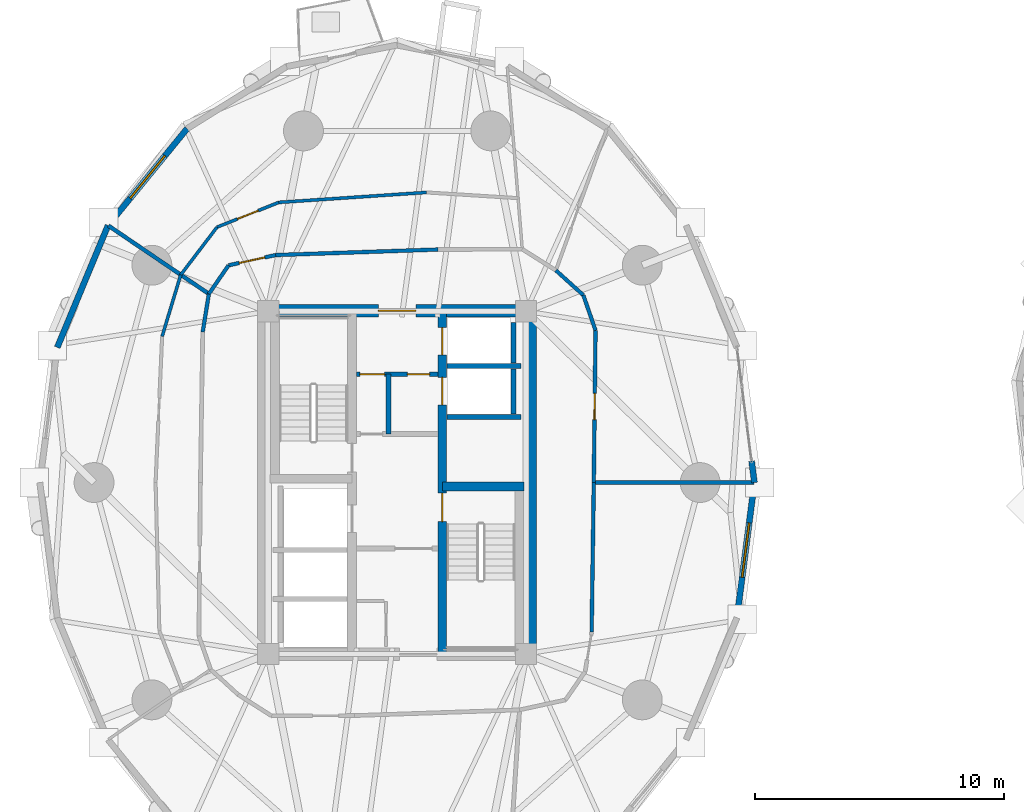
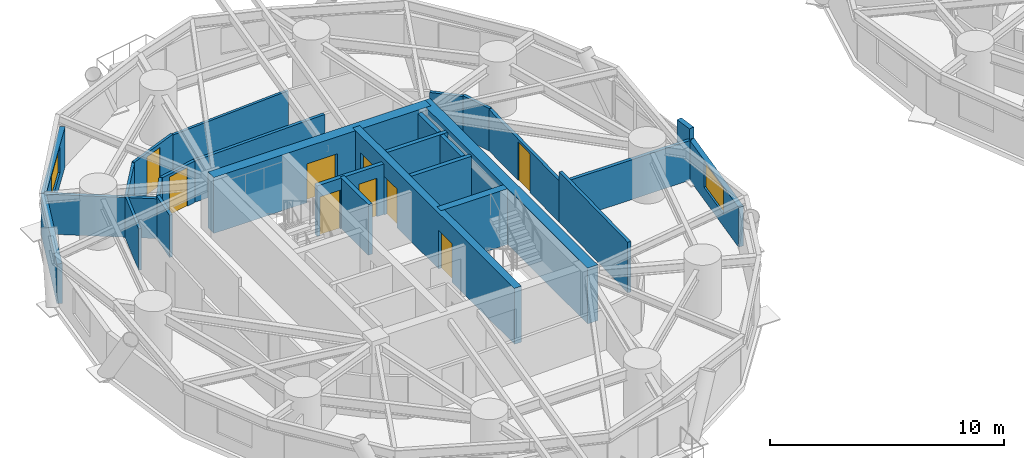
# One storey, part 11 of 18: 28 walls, 9 doors, 2 windows, 11 openings.
"""IFC4 building model written with IfcOpenShell, lengths in metres."""

from ifc_helpers import new_model, si_unit, direction, frame, frame_2d, origin, place, context, subcontext, project, spatial, rectangle, extrude, source, transform, mapped, material, layer, layer_set, type_object, element, fill, save


model = new_model("IFC4")

# Units and contexts
model_context = context("Model", 3, precision=1e-05, world=origin(), true_north=direction((0.0, 1.0)))
body_context = subcontext(model_context, "Body", "Model", "MODEL_VIEW")
ifc_project = project(units=[si_unit("LENGTHUNIT", "METRE"), si_unit("AREAUNIT", "SQUARE_METRE"), si_unit("VOLUMEUNIT", "CUBIC_METRE"), si_unit("PLANEANGLEUNIT", "RADIAN"), si_unit("MASSUNIT", "GRAM", prefix="KILO")], contexts=[model_context])

# Site, building, storey
site_placement = place(None, origin())
site = spatial("IfcSite", under=ifc_project, at=site_placement, CompositionType="ELEMENT")
building_placement = place(site_placement, origin())
building = spatial("IfcBuilding", under=site, at=building_placement, Name="Cununo Teusaquillo Station Towers", CompositionType="ELEMENT")
storey_placement = place(building_placement, frame((0.0, 0.0, 22.0)))
storey = spatial("IfcBuildingStorey", under=building, at=storey_placement, Name="L05", CompositionType="ELEMENT", Elevation=22.0)

# Walls
ifc_material_1 = material(Name="Concrete C50/60", Category="concrete")
ifc_layer_1 = layer(ifc_material_1, 0.199951171875)
ifc_layer_set_1 = layer_set([ifc_layer_1], Name="Concrete C50/60")
wall_type_1 = type_object("IfcWallType", Name="WL-CORE-200", PredefinedType="SHEAR", material=ifc_layer_set_1)
for number, where, z_axis, x_axis, name in (
    (1, (18.510009765625, 27.1298828125, 0.0), (0.0, 0.0, 1.0), (1.0, 0.0, 0.0), "L05 Tower A Low-Rise Lift Hoistway South Shear Wall"),
    (2, (18.510009765625, 29.175048828125, 0.0), (0.0, 0.0, 1.0), (1.0, 0.0, 0.0), "L05 Tower A Low-Rise Lift Hoistway Divider Shear Wall"),
):
    element("IfcWall", number, at=place(storey_placement, frame(where, z_axis=z_axis, x_axis=x_axis)), inside=storey, type_object=wall_type_1, Name=name, PredefinedType="SHEAR", context=body_context, shape_type="SweptSolid", body=[
        extrude(rectangle(XDim=2.969970703125, YDim=0.199951171875, at=frame_2d((1.48486328125, 0.0))), origin(), (0.0, 0.0, 1.0), 2.909912109375),
    ])
wall_1_placement = place(storey_placement, frame((21.179931640625, 27.25, 0.0), z_axis=(0.0, 0.0, 1.0), x_axis=(0.0, 1.0, 0.0)))
element("IfcWall", 3, at=wall_1_placement, inside=storey, type_object=wall_type_1, Name="L05 Tower A Low-Rise Lift 1 Shaft Rear Shear Wall", PredefinedType="SHEAR", context=body_context, shape_type="SweptSolid", body=[
    extrude(rectangle(XDim=1.804931640625, YDim=0.199951171875, at=frame_2d((0.90234375, 0.0))), origin(), (0.0, 0.0, 1.0), 2.909912109375),
])
wall_2_placement = place(storey_placement, frame((21.179931640625, 29.294921875, 0.0), z_axis=(0.0, 0.0, 1.0), x_axis=(0.0, 1.0, 0.0)))
element("IfcWall", 4, at=wall_2_placement, inside=storey, type_object=wall_type_1, Name="L05 Tower A Low-Rise Lift 2 Shaft Rear Shear Wall", PredefinedType="SHEAR", context=body_context, shape_type="SweptSolid", body=[
    extrude(rectangle(XDim=1.635009765625, YDim=0.199951171875, at=frame_2d((0.8173828125, 0.0))), origin(), (0.0, 0.0, 1.0), 2.909912109375),
])

# Wall, openings, doors
ifc_material_2 = material(Name="Concrete C50/60", Category="concrete")
ifc_layer_2 = layer(ifc_material_2, 0.35009765625)
ifc_layer_set_2 = layer_set([ifc_layer_2], Name="Concrete C50/60")
wall_type_2 = type_object("IfcWallType", Name="WL-CORE-350", PredefinedType="SHEAR", material=ifc_layer_set_2)
wall_3_placement = place(storey_placement, frame((18.31494140625, 17.60009765625, 0.0), z_axis=(0.0, 0.0, 1.0), x_axis=(0.0, 1.0, 0.0)))
wall_3 = element("IfcWall", 5, at=wall_3_placement, inside=storey, type_object=wall_type_2, Name="L05 Tower A Core Shear Wall IE", PredefinedType="SHEAR", context=body_context, shape_type="SweptSolid", body=[
    extrude(rectangle(XDim=13.7998046875, YDim=0.35009765625, at=frame_2d((6.89990234375, 0.0))), origin(), (0.0, 0.0, 1.0), 2.909912109375),
])
shared_shape_1 = source(origin(), body_context, "Body", "SweptSolid", [
    extrude(rectangle(XDim=1.10009765625, YDim=2.014892578125, at=frame_2d((0.550048828125, 1.00732421875))), frame((0.0, 0.18505859375, 0.0), z_axis=(0.0, -1.0, 0.0), x_axis=(1.0, 0.0, 0.0)), (0.0, 0.0, 1.0), 0.3701171875),
])
opening_1_placement = place(wall_3_placement, frame((10.02490234375, 0.0, 0.0)))
opening_1 = element("IfcOpeningElement", 6, at=opening_1_placement, cuts=wall_3, Name="Opening LD-01", PredefinedType="OPENING", context=body_context, shape_type="MappedRepresentation", body=[
    mapped(shared_shape_1, transform((0.0, 0.0, 0.0), x_axis=(1.0, 0.0, 0.0), y_axis=(0.0, 1.0, 0.0), z_axis=(0.0, 0.0, 1.0), scale=1.0)),
])
opening_2_placement = place(wall_3_placement, frame((12.02490234375, 0.0, 0.0)))
opening_2 = element("IfcOpeningElement", 7, at=opening_2_placement, cuts=wall_3, Name="Opening LD-01", PredefinedType="OPENING", context=body_context, shape_type="MappedRepresentation", body=[
    mapped(shared_shape_1, transform((0.0, 0.0, 0.0), x_axis=(1.0, 0.0, 0.0), y_axis=(0.0, 1.0, 0.0), z_axis=(0.0, 0.0, 1.0), scale=1.0)),
])
shared_shape_2 = source(origin(), body_context, "Body", "SweptSolid", [
    extrude(rectangle(XDim=1.14990234375, YDim=2.02001953125, at=frame_2d((0.574951171875, 1.010009765625))), frame((0.0, 0.18505859375, 0.0), z_axis=(0.0, -1.0, 0.0), x_axis=(1.0, 0.0, 0.0)), (0.0, 0.0, 1.0), 0.3701171875),
])
opening_3_placement = place(wall_3_placement, frame((5.330078125, 0.0, 0.0)))
opening_3 = element("IfcOpeningElement", 8, at=opening_3_placement, cuts=wall_3, Name="Opening D-ST1", PredefinedType="OPENING", context=body_context, shape_type="MappedRepresentation", body=[
    mapped(shared_shape_2, transform((0.0, 0.0, 0.0), x_axis=(1.0, 0.0, 0.0), y_axis=(0.0, 1.0, 0.0), z_axis=(0.0, 0.0, 1.0), scale=1.0)),
])
ifc_material_3 = material(Name="Galvanised fire-rated hollow steel door assembly", Category="steel")
door_type_1 = type_object("IfcDoorType", Name="DR-LIFT-1100", OperationType="SLIDING_TO_LEFT", PredefinedType="DOOR", material=ifc_material_3)
shared_shape_3 = source(origin(), body_context, "Body", "SweptSolid", [
    extrude(rectangle(XDim=1.10009765625, YDim=2.014892578125, at=frame_2d((0.550048828125, 1.00732421875))), frame((0.0, 0.02490234375, 0.0), z_axis=(0.0, -1.0, 0.0), x_axis=(1.0, 0.0, 0.0)), (0.0, 0.0, 1.0), 0.050048828125),
])
door_1_placement = place(opening_1_placement, origin())
door_1 = element("IfcDoor", 9, at=door_1_placement, inside=storey, type_object=door_type_1, Name="L05 Lift PL-T1-L1 Sliding Landing Door", OperationType="SLIDING_TO_LEFT", OverallHeight=2.014892578125, OverallWidth=1.10009765625, PredefinedType="DOOR", context=body_context, shape_type="MappedRepresentation", body=[
    mapped(shared_shape_3, transform((0.0, 0.0, 0.0), x_axis=(1.0, 0.0, 0.0), y_axis=(0.0, 1.0, 0.0), z_axis=(0.0, 0.0, 1.0), scale=1.0)),
])
fill(opening_1, door_1)
door_2_placement = place(opening_2_placement, origin())
door_2 = element("IfcDoor", 10, at=door_2_placement, inside=storey, type_object=door_type_1, Name="L05 Lift PL-T1-L2 Sliding Landing Door", OperationType="SLIDING_TO_RIGHT", OverallHeight=2.014892578125, OverallWidth=1.10009765625, PredefinedType="DOOR", context=body_context, shape_type="MappedRepresentation", body=[
    mapped(shared_shape_3, transform((0.0, 0.0, 0.0), x_axis=(1.0, 0.0, 0.0), y_axis=(0.0, 1.0, 0.0), z_axis=(0.0, 0.0, 1.0), scale=1.0)),
])
fill(opening_2, door_2)
ifc_material_4 = material(Name="Galvanised fire-rated hollow steel door assembly", Category="steel")
door_type_2 = type_object("IfcDoorType", Name="DR-STAIR-1150", OperationType="NOTDEFINED", PredefinedType="DOOR", material=ifc_material_4)
shared_shape_4 = source(origin(), body_context, "Body", "SweptSolid", [
    extrude(rectangle(XDim=1.14990234375, YDim=2.02001953125, at=frame_2d((0.574951171875, 1.010009765625))), frame((0.0, 0.02490234375, 0.0), z_axis=(0.0, -1.0, 0.0), x_axis=(1.0, 0.0, 0.0)), (0.0, 0.0, 1.0), 0.050048828125),
])
door_3_placement = place(opening_3_placement, origin())
door_3 = element("IfcDoor", 11, at=door_3_placement, inside=storey, type_object=door_type_2, Name="L05 Tower A Exit Stair 2 Fire Door", OperationType="SINGLE_SWING_LEFT", OverallHeight=2.02001953125, OverallWidth=1.14990234375, PredefinedType="DOOR", context=body_context, shape_type="MappedRepresentation", body=[
    mapped(shared_shape_4, transform((0.0, 0.0, 0.0), x_axis=(1.0, 0.0, 0.0), y_axis=(0.0, 1.0, 0.0), z_axis=(0.0, 0.0, 1.0), scale=1.0)),
])
fill(opening_3, door_3)

# Walls
wall_4_placement = place(storey_placement, frame((18.31494140625, 24.344970703125, 0.0), z_axis=(0.0, 0.0, 1.0), x_axis=(1.0, 0.0, 0.0)))
element("IfcWall", 12, at=wall_4_placement, inside=storey, type_object=wall_type_2, Name="L05 Tower A Core Shear Wall ST2N", PredefinedType="SHEAR", context=body_context, shape_type="SweptSolid", body=[
    extrude(rectangle(XDim=3.28515625, YDim=0.35009765625, at=frame_2d((1.642578125, 0.0))), origin(), (0.0, 0.0, 1.0), 2.909912109375),
])
ifc_material_5 = material(Name="Concrete C60/75", Category="concrete")
ifc_layer_3 = layer(ifc_material_5, 0.5)
ifc_layer_set_3 = layer_set([ifc_layer_3], Name="Concrete C60/75")
wall_type_3 = type_object("IfcWallType", Name="WL-CORE-500", PredefinedType="SHEAR", material=ifc_layer_set_3)
wall_5_placement = place(storey_placement, frame((21.85009765625, 17.35009765625, 0.0), z_axis=(0.0, 0.0, 1.0), x_axis=(0.0, 1.0, 0.0)))
element("IfcWall", 13, at=wall_5_placement, inside=storey, type_object=wall_type_3, Name="L05 Tower A Core Shear Wall E", PredefinedType="SHEAR", context=body_context, shape_type="SweptSolid", body=[
    extrude(rectangle(XDim=14.2998046875, YDim=0.5, at=frame_2d((7.14990234375, 0.0))), origin(), (0.0, 0.0, 1.0), 2.909912109375),
])

# Wall, opening, door
wall_6_placement = place(storey_placement, frame((11.14990234375, 31.39990234375, 0.0), z_axis=(0.0, 0.0, 1.0), x_axis=(1.0, 0.0, 0.0)))
wall_6 = element("IfcWall", 14, at=wall_6_placement, inside=storey, type_object=wall_type_3, Name="L05 Tower A Core Shear Wall N", PredefinedType="SHEAR", context=body_context, shape_type="SweptSolid", body=[
    extrude(rectangle(XDim=10.7001953125, YDim=0.5, at=frame_2d((5.35009765625, 0.0))), origin(), (0.0, 0.0, 1.0), 2.909912109375),
])
shared_shape_5 = source(origin(), body_context, "Body", "SweptSolid", [
    extrude(rectangle(XDim=1.5, YDim=2.02001953125, at=frame_2d((0.75, 1.010009765625))), frame((0.0, 0.260009765625, 0.0), z_axis=(0.0, -1.0, 0.0), x_axis=(1.0, 0.0, 0.0)), (0.0, 0.0, 1.0), 0.52001953125),
])
opening_4_placement = place(wall_6_placement, frame((4.60009765625, 0.0, 0.0)))
opening_4 = element("IfcOpeningElement", 15, at=opening_4_placement, cuts=wall_6, Name="Opening D-LB1", PredefinedType="OPENING", context=body_context, shape_type="MappedRepresentation", body=[
    mapped(shared_shape_5, transform((0.0, 0.0, 0.0), x_axis=(1.0, 0.0, 0.0), y_axis=(0.0, 1.0, 0.0), z_axis=(0.0, 0.0, 1.0), scale=1.0)),
])
ifc_material_6 = material(Name="Galvanised fire-rated hollow steel door assembly", Category="steel")
door_type_3 = type_object("IfcDoorType", Name="DR-LOBBY-1500", OperationType="DOUBLE_DOOR_SINGLE_SWING", PredefinedType="DOOR", material=ifc_material_6)
shared_shape_6 = source(origin(), body_context, "Body", "SweptSolid", [
    extrude(rectangle(XDim=1.5, YDim=2.02001953125, at=frame_2d((0.75, 1.010009765625))), frame((0.0, 0.02490234375, 0.0), z_axis=(0.0, -1.0, 0.0), x_axis=(1.0, 0.0, 0.0)), (0.0, 0.0, 1.0), 0.050048828125),
])
door_4_placement = place(opening_4_placement, origin())
door_4 = element("IfcDoor", 16, at=door_4_placement, inside=storey, type_object=door_type_3, Name="L05 Tower A North Core Lift Lobby Door", OperationType="DOUBLE_DOOR_SINGLE_SWING", OverallHeight=2.02001953125, OverallWidth=1.5, PredefinedType="DOOR", context=body_context, shape_type="MappedRepresentation", body=[
    mapped(shared_shape_6, transform((0.0, 0.0, 0.0), x_axis=(1.0, 0.0, 0.0), y_axis=(0.0, 1.0, 0.0), z_axis=(0.0, 0.0, 1.0), scale=1.0)),
])
fill(opening_4, door_4)

# Wall
ifc_material_7 = material(Name="Precast concrete C40/50", Category="concrete")
ifc_layer_4 = layer(ifc_material_7, 0.239990234375)
ifc_layer_set_4 = layer_set([ifc_layer_4], Name="Precast concrete C40/50")
wall_type_4 = type_object("IfcWallType", Name="WL-EXT-240", PredefinedType="SOLIDWALL", material=ifc_layer_set_4)
wall_7_placement = place(storey_placement, frame((30.7392578125, 25.36279296875, 0.0), z_axis=(0.0, 0.0, 1.0), x_axis=(0.128523364007, -0.991706481225, 0.0)))
element("IfcWall", 17, at=wall_7_placement, inside=storey, type_object=wall_type_4, Name="L05 Tower A Column Pier Cladding Wall C00-PB", PredefinedType="SOLIDWALL", context=body_context, shape_type="SweptSolid", body=[
    extrude(rectangle(XDim=0.8701171875, YDim=0.239990234375, at=frame_2d((0.43505859375, 0.0))), origin(), (0.0, 0.0, 1.0), 2.635009765625),
])

# Wall, opening, window
wall_8_placement = place(storey_placement, frame((4.889892578125, 34.827392578125, 0.0), z_axis=(0.0, 0.0, 1.0), x_axis=(0.632588557044, 0.774488035735, 0.0)))
wall_8 = element("IfcWall", 18, at=wall_8_placement, inside=storey, type_object=wall_type_4, Name="L05 Tower A Exterior Facade Wall C07", PredefinedType="SOLIDWALL", context=body_context, shape_type="SweptSolid", body=[
    extrude(rectangle(XDim=5.018798828125, YDim=0.239990234375, at=frame_2d((2.50927734375, 0.0))), origin(), (0.0, 0.0, 1.0), 2.072998046875),
])
shared_shape_7 = source(origin(), body_context, "Body", "SweptSolid", [
    extrude(rectangle(XDim=2.199951171875, YDim=1.35009765625, at=frame_2d((1.10009765625, 0.675048828125))), frame((0.0, 0.1298828125, 0.0), z_axis=(0.0, -1.0, 0.0), x_axis=(1.0, 0.0, 0.0)), (0.0, 0.0, 1.0), 0.260009765625),
])
opening_5_placement = place(wall_8_placement, frame((1.408935546875, 0.0, 0.64990234375)))
opening_5 = element("IfcOpeningElement", 19, at=opening_5_placement, cuts=wall_8, Name="Opening WN-01", PredefinedType="OPENING", context=body_context, shape_type="MappedRepresentation", body=[
    mapped(shared_shape_7, transform((0.0, 0.0, 0.0), x_axis=(1.0, 0.0, 0.0), y_axis=(0.0, 1.0, 0.0), z_axis=(0.0, 0.0, 1.0), scale=1.0)),
])
ifc_material_8 = material(Name="Ceramic-fritted dark low-E double glazing", Category="glass")
window_type = type_object("IfcWindowType", Name="WIN-FRIT-2200", PartitioningType="DOUBLE_PANEL_VERTICAL", PredefinedType="WINDOW", material=ifc_material_8)
shared_shape_8 = source(origin(), body_context, "Body", "SweptSolid", [
    extrude(rectangle(XDim=2.199951171875, YDim=1.35009765625, at=frame_2d((1.10009765625, 0.675048828125))), frame((0.0, 0.030029296875, 0.0), z_axis=(0.0, -1.0, 0.0), x_axis=(1.0, 0.0, 0.0)), (0.0, 0.0, 1.0), 0.06005859375),
])
window_1_placement = place(opening_5_placement, origin())
window_1 = element("IfcWindow", 20, at=window_1_placement, inside=storey, type_object=window_type, Name="L05 Tower A Facade Window C07", OverallHeight=1.35009765625, OverallWidth=2.199951171875, PartitioningType="DOUBLE_PANEL_VERTICAL", PredefinedType="WINDOW", context=body_context, shape_type="MappedRepresentation", body=[
    mapped(shared_shape_8, transform((0.0, 0.0, 0.0), x_axis=(1.0, 0.0, 0.0), y_axis=(0.0, 1.0, 0.0), z_axis=(0.0, 0.0, 1.0), scale=1.0)),
])
fill(opening_5, window_1)

# Wall
wall_9_placement = place(storey_placement, frame((2.851318359375, 29.929443359375, 0.0), z_axis=(0.0, 0.0, 1.0), x_axis=(0.384255919668, 0.923226618009, 0.0)))
element("IfcWall", 21, at=wall_9_placement, inside=storey, type_object=wall_type_4, Name="L05 Tower A Exterior Facade Wall C08", PredefinedType="SOLIDWALL", context=body_context, shape_type="SweptSolid", body=[
    extrude(rectangle(XDim=5.30517578125, YDim=0.239990234375, at=frame_2d((2.652587890625, 0.0))), origin(), (0.0, 0.0, 1.0), 2.072998046875),
])

# Wall, opening, window
wall_10_placement = place(storey_placement, frame((30.85107421875, 24.5, 0.0), z_axis=(0.0, 0.0, 1.0), x_axis=(-0.128298189174, -0.991735637483, 0.0)))
wall_10 = element("IfcWall", 22, at=wall_10_placement, inside=storey, type_object=wall_type_4, Name="L05 Tower A Exterior Facade Wall C19", PredefinedType="SOLIDWALL", context=body_context, shape_type="SweptSolid", body=[
    extrude(rectangle(XDim=5.474609375, YDim=0.239990234375, at=frame_2d((2.7373046875, 0.0))), origin(), (0.0, 0.0, 1.0), 2.072998046875),
])
opening_6_placement = place(wall_10_placement, frame((1.636962890625, 0.0, 0.64990234375)))
opening_6 = element("IfcOpeningElement", 23, at=opening_6_placement, cuts=wall_10, Name="Opening WN-01", PredefinedType="OPENING", context=body_context, shape_type="MappedRepresentation", body=[
    mapped(shared_shape_7, transform((0.0, 0.0, 0.0), x_axis=(1.0, 0.0, 0.0), y_axis=(0.0, 1.0, 0.0), z_axis=(0.0, 0.0, 1.0), scale=1.0)),
])
window_2_placement = place(opening_6_placement, origin())
window_2 = element("IfcWindow", 24, at=window_2_placement, inside=storey, type_object=window_type, Name="L05 Tower A Facade Window C19", OverallHeight=1.35009765625, OverallWidth=2.199951171875, PartitioningType="DOUBLE_PANEL_VERTICAL", PredefinedType="WINDOW", context=body_context, shape_type="MappedRepresentation", body=[
    mapped(shared_shape_8, transform((0.0, 0.0, 0.0), x_axis=(1.0, 0.0, 0.0), y_axis=(0.0, 1.0, 0.0), z_axis=(0.0, 0.0, 1.0), scale=1.0)),
])
fill(opening_6, window_2)

# Wall
ifc_material_9 = material(Name="Fire-rated gypsum plasterboard partition assembly", Category="gypsum")
ifc_layer_5 = layer(ifc_material_9, 0.125)
ifc_layer_set_5 = layer_set([ifc_layer_5], Name="Fire-rated gypsum plasterboard partition assembly")
wall_type_5 = type_object("IfcWallType", Name="WL-PART-125", PredefinedType="PARTITIONING", material=ifc_layer_set_5)
wall_11_placement = place(storey_placement, frame((17.682861328125, 36.15283203125, 0.0), z_axis=(0.0, 0.0, 1.0), x_axis=(-0.997730540088, -0.067333270944, 0.0)))
element("IfcWall", 25, at=wall_11_placement, inside=storey, type_object=wall_type_5, Name="L05 Tower A Simultaneous Interpretation Hall Concentric Partition Wall C05", PredefinedType="PARTITIONING", context=body_context, shape_type="SweptSolid", body=[
    extrude(rectangle(XDim=5.949951171875, YDim=0.125, at=frame_2d((2.97509765625, 0.0))), origin(), (0.0, 0.0, 1.0), 2.158935546875),
])

# Wall, opening, door
wall_12_placement = place(storey_placement, frame((11.746337890625, 35.752197265625, 0.0), z_axis=(0.0, 0.0, 1.0), x_axis=(-0.928091790064, -0.372351486119, 0.0)))
wall_12 = element("IfcWall", 26, at=wall_12_placement, inside=storey, type_object=wall_type_5, Name="L05 Tower A Simultaneous Interpretation Hall Concentric Partition Wall C06", PredefinedType="PARTITIONING", context=body_context, shape_type="SweptSolid", body=[
    extrude(rectangle(XDim=2.671875, YDim=0.125, at=frame_2d((1.3359375, 0.0))), origin(), (0.0, 0.0, 1.0), 2.205078125),
])
shared_shape_9 = source(origin(), body_context, "Body", "SweptSolid", [
    extrude(rectangle(XDim=0.89990234375, YDim=2.0048828125, at=frame_2d((0.449951171875, 1.00244140625))), frame((0.0, 0.072509765625, 0.0), z_axis=(0.0, -1.0, 0.0), x_axis=(1.0, 0.0, 0.0)), (0.0, 0.0, 1.0), 0.14501953125),
])
opening_7_placement = place(wall_12_placement, frame((0.885986328125, 0.0, 0.0)))
opening_7 = element("IfcOpeningElement", 27, at=opening_7_placement, cuts=wall_12, Name="Opening D-IN1", PredefinedType="OPENING", context=body_context, shape_type="MappedRepresentation", body=[
    mapped(shared_shape_9, transform((0.0, 0.0, 0.0), x_axis=(1.0, 0.0, 0.0), y_axis=(0.0, 1.0, 0.0), z_axis=(0.0, 0.0, 1.0), scale=1.0)),
])
ifc_material_10 = material(Name="Acoustic solid-core hardwood leaf assembly", Category="wood")
door_type_4 = type_object("IfcDoorType", Name="DR-INT-900", OperationType="NOTDEFINED", PredefinedType="DOOR", material=ifc_material_10)
shared_shape_10 = source(origin(), body_context, "Body", "SweptSolid", [
    extrude(rectangle(XDim=0.89990234375, YDim=2.0048828125, at=frame_2d((0.449951171875, 1.00244140625))), frame((0.0, 0.02490234375, 0.0), z_axis=(0.0, -1.0, 0.0), x_axis=(1.0, 0.0, 0.0)), (0.0, 0.0, 1.0), 0.050048828125),
])
door_5_placement = place(opening_7_placement, origin())
door_5 = element("IfcDoor", 28, at=door_5_placement, inside=storey, type_object=door_type_4, Name="L05 Tower A Simultaneous Interpretation Hall Connecting Door", OperationType="SINGLE_SWING_LEFT", OverallHeight=2.0048828125, OverallWidth=0.89990234375, PredefinedType="DOOR", context=body_context, shape_type="MappedRepresentation", body=[
    mapped(shared_shape_10, transform((0.0, 0.0, 0.0), x_axis=(1.0, 0.0, 0.0), y_axis=(0.0, 1.0, 0.0), z_axis=(0.0, 0.0, 1.0), scale=1.0)),
])
fill(opening_7, door_5)

# Walls
wall_13_placement = place(storey_placement, frame((9.2666015625, 34.75732421875, 0.0), z_axis=(0.0, 0.0, 1.0), x_axis=(-0.60573716219, -0.795664810295, 0.0)))
element("IfcWall", 29, at=wall_13_placement, inside=storey, type_object=wall_type_5, Name="L05 Tower A Simultaneous Interpretation Hall Concentric Partition Wall C07", PredefinedType="PARTITIONING", context=body_context, shape_type="SweptSolid", body=[
    extrude(rectangle(XDim=2.40380859375, YDim=0.125, at=frame_2d((1.201904296875, 0.0))), origin(), (0.0, 0.0, 1.0), 2.158935546875),
])
wall_14_placement = place(storey_placement, frame((7.810546875, 32.8447265625, 0.0), z_axis=(0.0, 0.0, 1.0), x_axis=(-0.289357304294, -0.957221160679, 0.0)))
element("IfcWall", 30, at=wall_14_placement, inside=storey, type_object=wall_type_5, Name="L05 Tower A Press & Broadcast Briefing Hall Concentric Partition Wall C08", PredefinedType="PARTITIONING", context=body_context, shape_type="SweptSolid", body=[
    extrude(rectangle(XDim=2.585205078125, YDim=0.125, at=frame_2d((1.29248046875, 0.0))), origin(), (0.0, 0.0, 1.0), 2.158935546875),
])

# Wall, opening, door
ifc_material_11 = material(Name="Fire-rated gypsum plasterboard partition assembly", Category="gypsum")
ifc_layer_6 = layer(ifc_material_11, 0.14990234375)
ifc_layer_set_6 = layer_set([ifc_layer_6], Name="Fire-rated gypsum plasterboard partition assembly")
wall_type_6 = type_object("IfcWallType", Name="WL-PART-150", PredefinedType="PARTITIONING", material=ifc_layer_set_6)
wall_15_placement = place(storey_placement, frame((24.39990234375, 24.5, 0.0), z_axis=(0.0, 0.0, 1.0), x_axis=(0.011299841544, 0.999936154752, 0.0)))
wall_15 = element("IfcWall", 31, at=wall_15_placement, inside=storey, type_object=wall_type_6, Name="L05 Tower A Corridor Ring Wall C00", PredefinedType="PARTITIONING", context=body_context, shape_type="SweptSolid", body=[
    extrude(rectangle(XDim=6.114501953125, YDim=0.14990234375, at=frame_2d((3.05712890625, 0.0))), origin(), (0.0, 0.0, 1.0), 2.158935546875),
])
shared_shape_11 = source(origin(), body_context, "Body", "SweptSolid", [
    extrude(rectangle(XDim=1.050048828125, YDim=2.014892578125, at=frame_2d((0.52490234375, 1.00732421875))), frame((0.0, 0.0849609375, 0.0), z_axis=(0.0, -1.0, 0.0), x_axis=(1.0, 0.0, 0.0)), (0.0, 0.0, 1.0), 0.169921875),
])
opening_8_placement = place(wall_15_placement, frame((2.5322265625, 0.0, 0.0)))
opening_8 = element("IfcOpeningElement", 32, at=opening_8_placement, cuts=wall_15, Name="Opening D-SU1", PredefinedType="OPENING", context=body_context, shape_type="MappedRepresentation", body=[
    mapped(shared_shape_11, transform((0.0, 0.0, 0.0), x_axis=(1.0, 0.0, 0.0), y_axis=(0.0, 1.0, 0.0), z_axis=(0.0, 0.0, 1.0), scale=1.0)),
])
ifc_material_12 = material(Name="Acoustic solid-core hardwood leaf assembly", Category="wood")
door_type_5 = type_object("IfcDoorType", Name="DR-SUITE-1050", OperationType="NOTDEFINED", PredefinedType="DOOR", material=ifc_material_12)
shared_shape_12 = source(origin(), body_context, "Body", "SweptSolid", [
    extrude(rectangle(XDim=1.050048828125, YDim=2.014892578125, at=frame_2d((0.52490234375, 1.00732421875))), frame((0.0, 0.02490234375, 0.0), z_axis=(0.0, -1.0, 0.0), x_axis=(1.0, 0.0, 0.0)), (0.0, 0.0, 1.0), 0.050048828125),
])
door_6_placement = place(opening_8_placement, origin())
door_6 = element("IfcDoor", 33, at=door_6_placement, inside=storey, type_object=door_type_5, Name="L05 Tower A Grand Conference Salon Entrance Door", OperationType="SINGLE_SWING_RIGHT", OverallHeight=2.014892578125, OverallWidth=1.050048828125, PredefinedType="DOOR", context=body_context, shape_type="MappedRepresentation", body=[
    mapped(shared_shape_12, transform((0.0, 0.0, 0.0), x_axis=(1.0, 0.0, 0.0), y_axis=(0.0, 1.0, 0.0), z_axis=(0.0, 0.0, 1.0), scale=1.0)),
])
fill(opening_8, door_6)

# Walls
wall_16_placement = place(storey_placement, frame((24.468994140625, 30.614013671875, 0.0), z_axis=(0.0, 0.0, 1.0), x_axis=(-0.327228335485, 0.944945298129, 0.0)))
element("IfcWall", 34, at=wall_16_placement, inside=storey, type_object=wall_type_6, Name="L05 Tower A Corridor Ring Wall C01", PredefinedType="PARTITIONING", context=body_context, shape_type="SweptSolid", body=[
    extrude(rectangle(XDim=1.4951171875, YDim=0.14990234375, at=frame_2d((0.74755859375, 0.0))), origin(), (0.0, 0.0, 1.0), 2.205078125),
])
wall_17_placement = place(storey_placement, frame((23.979736328125, 32.02685546875, 0.0), z_axis=(0.0, 0.0, 1.0), x_axis=(-0.742353224332, 0.670008724065, 0.0)))
element("IfcWall", 35, at=wall_17_placement, inside=storey, type_object=wall_type_6, Name="L05 Tower A Corridor Ring Wall C02", PredefinedType="PARTITIONING", context=body_context, shape_type="SweptSolid", body=[
    extrude(rectangle(XDim=1.48486328125, YDim=0.14990234375, at=frame_2d((0.742431640625, 0.0))), origin(), (0.0, 0.0, 1.0), 2.158935546875),
])
wall_18_placement = place(storey_placement, frame((18.142822265625, 33.859619140625, 0.0), z_axis=(0.0, 0.0, 1.0), x_axis=(-0.999419208319, -0.034077060363, 0.0)))
element("IfcWall", 36, at=wall_18_placement, inside=storey, type_object=wall_type_6, Name="L05 Tower A Corridor Ring Wall C05", PredefinedType="PARTITIONING", context=body_context, shape_type="SweptSolid", body=[
    extrude(rectangle(XDim=6.52685546875, YDim=0.14990234375, at=frame_2d((3.263427734375, 0.0))), origin(), (0.0, 0.0, 1.0), 2.158935546875),
])

# Wall, opening, door
wall_19_placement = place(storey_placement, frame((11.619873046875, 33.63720703125, 0.0), z_axis=(0.0, 0.0, 1.0), x_axis=(-0.97702579435, -0.213121085711, 0.0)))
wall_19 = element("IfcWall", 37, at=wall_19_placement, inside=storey, type_object=wall_type_6, Name="L05 Tower A Corridor Ring Wall C06", PredefinedType="PARTITIONING", context=body_context, shape_type="SweptSolid", body=[
    extrude(rectangle(XDim=1.934814453125, YDim=0.14990234375, at=frame_2d((0.96728515625, 0.0))), origin(), (0.0, 0.0, 1.0), 2.158935546875),
])
opening_9_placement = place(wall_19_placement, frame((0.4423828125, 0.0, 0.0)))
opening_9 = element("IfcOpeningElement", 38, at=opening_9_placement, cuts=wall_19, Name="Opening D-SU1", PredefinedType="OPENING", context=body_context, shape_type="MappedRepresentation", body=[
    mapped(shared_shape_11, transform((0.0, 0.0, 0.0), x_axis=(1.0, 0.0, 0.0), y_axis=(0.0, 1.0, 0.0), z_axis=(0.0, 0.0, 1.0), scale=1.0)),
])
door_7_placement = place(opening_9_placement, origin())
door_7 = element("IfcDoor", 39, at=door_7_placement, inside=storey, type_object=door_type_5, Name="L05 Tower A Simultaneous Interpretation Hall Entrance Door", OperationType="SINGLE_SWING_RIGHT", OverallHeight=2.014892578125, OverallWidth=1.050048828125, PredefinedType="DOOR", context=body_context, shape_type="MappedRepresentation", body=[
    mapped(shared_shape_12, transform((0.0, 0.0, 0.0), x_axis=(1.0, 0.0, 0.0), y_axis=(0.0, 1.0, 0.0), z_axis=(0.0, 0.0, 1.0), scale=1.0)),
])
fill(opening_9, door_7)

# Walls
wall_20_placement = place(storey_placement, frame((9.7294921875, 33.224853515625, 0.0), z_axis=(0.0, 0.0, 1.0), x_axis=(-0.567183649484, -0.82359134755, 0.0)))
element("IfcWall", 40, at=wall_20_placement, inside=storey, type_object=wall_type_6, Name="L05 Tower A Corridor Ring Wall C07", PredefinedType="PARTITIONING", context=body_context, shape_type="SweptSolid", body=[
    extrude(rectangle(XDim=1.39208984375, YDim=0.14990234375, at=frame_2d((0.696044921875, 0.0))), origin(), (0.0, 0.0, 1.0), 2.158935546875),
])
wall_21_placement = place(storey_placement, frame((8.93994140625, 32.078369140625, 0.0), z_axis=(0.0, 0.0, 1.0), x_axis=(-0.159148467753, -0.98725466077, 0.0)))
element("IfcWall", 41, at=wall_21_placement, inside=storey, type_object=wall_type_6, Name="L05 Tower A Corridor Ring Wall C08", PredefinedType="PARTITIONING", context=body_context, shape_type="SweptSolid", body=[
    extrude(rectangle(XDim=1.553955078125, YDim=0.14990234375, at=frame_2d((0.77685546875, 0.0))), origin(), (0.0, 0.0, 1.0), 2.205078125),
])
wall_22_placement = place(storey_placement, frame((24.3134765625, 18.496337890625, 0.0), z_axis=(0.0, 0.0, 1.0), x_axis=(0.014394019188, 0.999896400739, 0.0)))
element("IfcWall", 42, at=wall_22_placement, inside=storey, type_object=wall_type_6, Name="L05 Tower A Corridor Ring Wall C19", PredefinedType="PARTITIONING", context=body_context, shape_type="SweptSolid", body=[
    extrude(rectangle(XDim=6.00439453125, YDim=0.14990234375, at=frame_2d((3.002197265625, 0.0))), origin(), (0.0, 0.0, 1.0), 2.635009765625),
])
ifc_material_13 = material(Name="Fire-rated gypsum plasterboard partition assembly", Category="gypsum")
ifc_layer_7 = layer(ifc_material_13, 0.159912109375)
ifc_layer_set_7 = layer_set([ifc_layer_7], Name="Fire-rated gypsum plasterboard partition assembly")
wall_type_7 = type_object("IfcWallType", Name="WL-PART-160", PredefinedType="PARTITIONING", material=ifc_layer_set_7)
wall_23_placement = place(storey_placement, frame((24.39990234375, 24.5, 0.0), z_axis=(0.0, 0.0, 1.0), x_axis=(1.0, 0.0, 0.0)))
element("IfcWall", 43, at=wall_23_placement, inside=storey, type_object=wall_type_7, Name="L05 Tower A Radial Suite Partition R01", PredefinedType="PARTITIONING", context=body_context, shape_type="SweptSolid", body=[
    extrude(rectangle(XDim=6.43115234375, YDim=0.159912109375, at=frame_2d((3.215576171875, 0.0))), origin(), (0.0, 0.0, 1.0), 2.072998046875),
])
wall_24_placement = place(storey_placement, frame((8.93994140625, 32.078369140625, 0.0), z_axis=(0.0, 0.0, 1.0), x_axis=(-0.827476605417, 0.561500193666, 0.0)))
element("IfcWall", 44, at=wall_24_placement, inside=storey, type_object=wall_type_7, Name="L05 Tower A Radial Suite Partition R03", PredefinedType="PARTITIONING", context=body_context, shape_type="SweptSolid", body=[
    extrude(rectangle(XDim=4.875, YDim=0.159912109375, at=frame_2d((2.4375, 0.0))), origin(), (0.0, 0.0, 1.0), 2.072998046875),
])
ifc_material_14 = material(Name="Fire-rated gypsum plasterboard partition assembly", Category="gypsum")
ifc_layer_8 = layer(ifc_material_14, 0.199951171875)
ifc_layer_set_8 = layer_set([ifc_layer_8], Name="Fire-rated gypsum plasterboard partition assembly")
wall_type_8 = type_object("IfcWallType", Name="WL-PART-200", PredefinedType="PARTITIONING", material=ifc_layer_set_8)
wall_25_placement = place(storey_placement, frame((16.14990234375, 26.449951171875, 0.0), z_axis=(0.0, 0.0, 1.0), x_axis=(0.0, 1.0, 0.0)))
element("IfcWall", 45, at=wall_25_placement, inside=storey, type_object=wall_type_8, Name="L05 Tower A Stair 1 Vestibule Partition Wall", PredefinedType="PARTITIONING", context=body_context, shape_type="SweptSolid", body=[
    extrude(rectangle(XDim=2.400146484375, YDim=0.199951171875, at=frame_2d((1.2001953125, 0.0))), origin(), (0.0, 0.0, 1.0), 2.635009765625),
])

# Wall, openings, doors
wall_26_placement = place(storey_placement, frame((14.860107421875, 28.85009765625, 0.0), z_axis=(0.0, 0.0, 1.0), x_axis=(1.0, 0.0, 0.0)))
wall_26 = element("IfcWall", 46, at=wall_26_placement, inside=storey, type_object=wall_type_8, Name="L05 Tower A North Lift Lobby South Fire Wall", PredefinedType="PARTITIONING", context=body_context, shape_type="SweptSolid", body=[
    extrude(rectangle(XDim=3.27978515625, YDim=0.199951171875, at=frame_2d((1.639892578125, 0.0))), origin(), (0.0, 0.0, 1.0), 2.635009765625),
])
shared_shape_13 = source(origin(), body_context, "Body", "SweptSolid", [
    extrude(rectangle(XDim=1.0, YDim=2.014892578125, at=frame_2d((0.5, 1.00732421875))), frame((0.0, 0.10986328125, 0.0), z_axis=(0.0, -1.0, 0.0), x_axis=(1.0, 0.0, 0.0)), (0.0, 0.0, 1.0), 0.219970703125),
])
opening_10_placement = place(wall_26_placement, frame((0.139892578125, 0.0, 0.0)))
opening_10 = element("IfcOpeningElement", 47, at=opening_10_placement, cuts=wall_26, Name="Opening D-AC1", PredefinedType="OPENING", context=body_context, shape_type="MappedRepresentation", body=[
    mapped(shared_shape_13, transform((0.0, 0.0, 0.0), x_axis=(1.0, 0.0, 0.0), y_axis=(0.0, 1.0, 0.0), z_axis=(0.0, 0.0, 1.0), scale=1.0)),
])
shared_shape_14 = source(origin(), body_context, "Body", "SweptSolid", [
    extrude(rectangle(XDim=0.89990234375, YDim=2.0048828125, at=frame_2d((0.449951171875, 1.00244140625))), frame((0.0, 0.10986328125, 0.0), z_axis=(0.0, -1.0, 0.0), x_axis=(1.0, 0.0, 0.0)), (0.0, 0.0, 1.0), 0.219970703125),
])
opening_11_placement = place(wall_26_placement, frame((2.050048828125, 0.0, 0.0)))
opening_11 = element("IfcOpeningElement", 48, at=opening_11_placement, cuts=wall_26, Name="Opening D-SR1", PredefinedType="OPENING", context=body_context, shape_type="MappedRepresentation", body=[
    mapped(shared_shape_14, transform((0.0, 0.0, 0.0), x_axis=(1.0, 0.0, 0.0), y_axis=(0.0, 1.0, 0.0), z_axis=(0.0, 0.0, 1.0), scale=1.0)),
])
ifc_material_15 = material(Name="Galvanised fire-rated hollow steel door assembly", Category="steel")
door_type_6 = type_object("IfcDoorType", Name="DR-STORE-900", OperationType="NOTDEFINED", PredefinedType="DOOR", material=ifc_material_15)
door_8_placement = place(opening_11_placement, origin())
door_8 = element("IfcDoor", 49, at=door_8_placement, inside=storey, type_object=door_type_6, Name="L05 Tower A Core Housekeeping & Linen Store Door", OperationType="SINGLE_SWING_LEFT", OverallHeight=2.0048828125, OverallWidth=0.89990234375, PredefinedType="DOOR", context=body_context, shape_type="MappedRepresentation", body=[
    mapped(shared_shape_10, transform((0.0, 0.0, 0.0), x_axis=(1.0, 0.0, 0.0), y_axis=(0.0, 1.0, 0.0), z_axis=(0.0, 0.0, 1.0), scale=1.0)),
])
fill(opening_11, door_8)
ifc_material_16 = material(Name="Acoustic solid-core hardwood leaf assembly", Category="wood")
door_type_7 = type_object("IfcDoorType", Name="DR-ACC-1000", OperationType="NOTDEFINED", PredefinedType="DOOR", material=ifc_material_16)
shared_shape_15 = source(origin(), body_context, "Body", "SweptSolid", [
    extrude(rectangle(XDim=1.0, YDim=2.014892578125, at=frame_2d((0.5, 1.00732421875))), frame((0.0, 0.02490234375, 0.0), z_axis=(0.0, -1.0, 0.0), x_axis=(1.0, 0.0, 0.0)), (0.0, 0.0, 1.0), 0.050048828125),
])
door_9_placement = place(opening_10_placement, origin())
door_9 = element("IfcDoor", 50, at=door_9_placement, inside=storey, type_object=door_type_7, Name="L05 Tower A North Lift Lobby to Stair 1 Vestibule Door", OperationType="SINGLE_SWING_LEFT", OverallHeight=2.014892578125, OverallWidth=1.0, PredefinedType="DOOR", context=body_context, shape_type="MappedRepresentation", body=[
    mapped(shared_shape_15, transform((0.0, 0.0, 0.0), x_axis=(1.0, 0.0, 0.0), y_axis=(0.0, 1.0, 0.0), z_axis=(0.0, 0.0, 1.0), scale=1.0)),
])
fill(opening_10, door_9)

save(model, "model.ifc")
